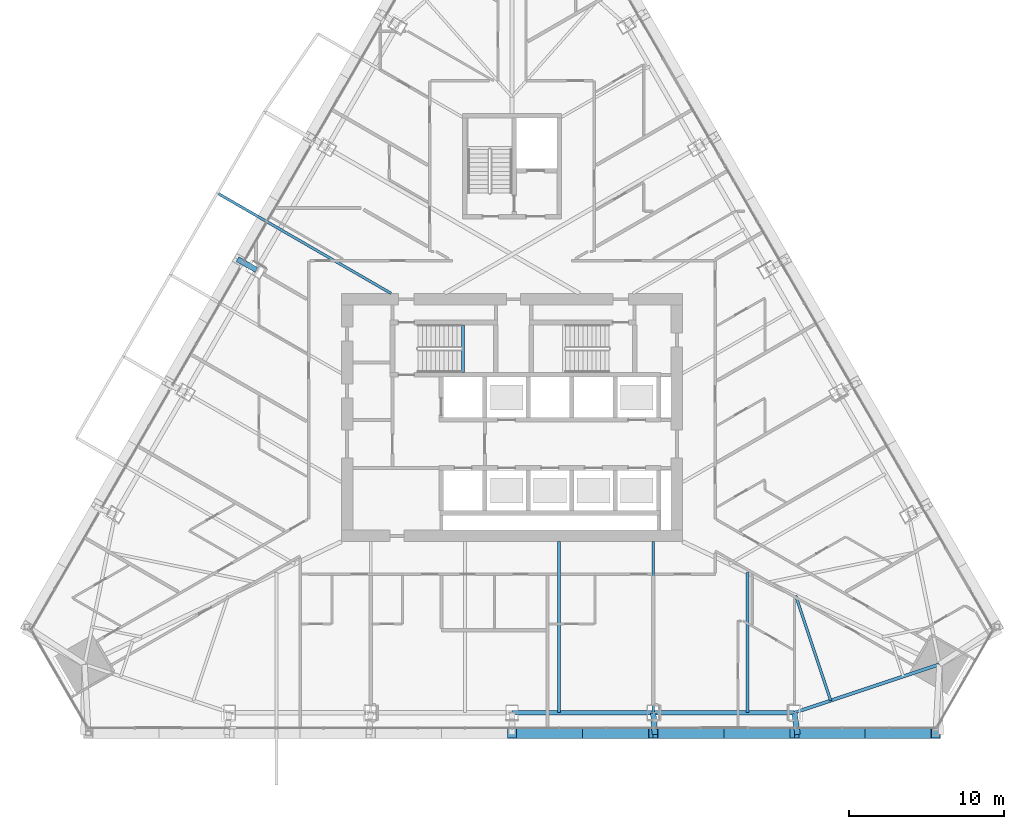
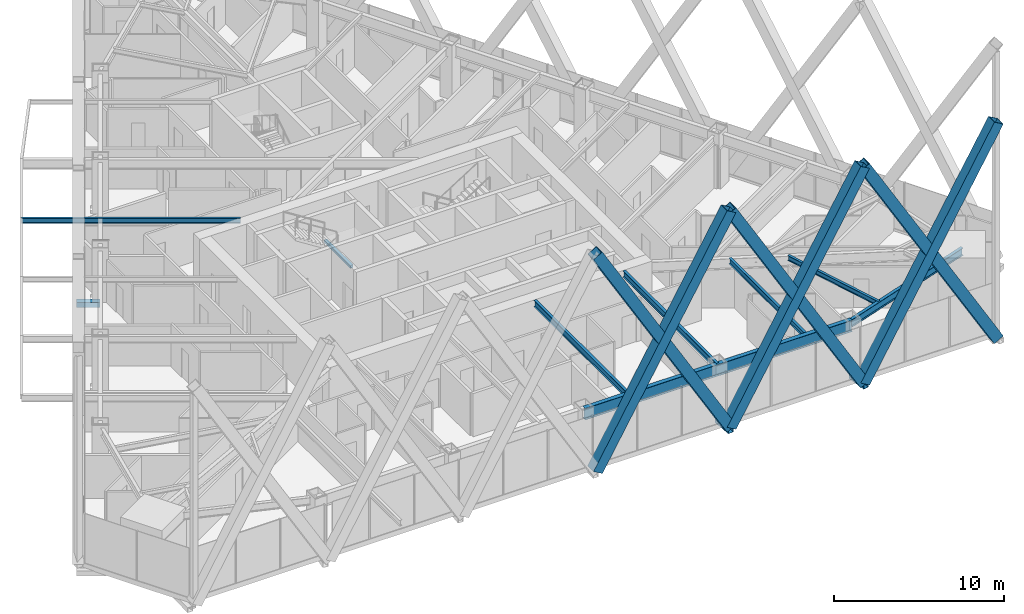
# One storey, part 7 of 26: 9 members, 8 beams.
"""IFC4 building model written with IfcOpenShell, lengths in metres."""

from ifc_helpers import new_model, si_unit, direction, frame, origin, origin_2d, place, context, subcontext, project, spatial, rectangle, hollow_rectangle, i_section, extrude, material, material_profile, profile_set, type_object, element, save


model = new_model("IFC4")

# Units and contexts
model_context = context("Model", 3, precision=1e-05, world=origin(), true_north=direction((0.0, 1.0)))
body_context = subcontext(model_context, "Body", "Model", "MODEL_VIEW")
ifc_project = project(units=[si_unit("LENGTHUNIT", "METRE"), si_unit("AREAUNIT", "SQUARE_METRE"), si_unit("VOLUMEUNIT", "CUBIC_METRE"), si_unit("PLANEANGLEUNIT", "RADIAN"), si_unit("MASSUNIT", "GRAM", prefix="KILO")], contexts=[model_context])

# Site, building, storey
site_placement = place(None, origin())
site = spatial("IfcSite", under=ifc_project, at=site_placement, CompositionType="ELEMENT")
building_placement = place(site_placement, origin())
building = spatial("IfcBuilding", under=site, at=building_placement, Name="Firuza Gate Tower and Library", CompositionType="ELEMENT")
storey_placement = place(building_placement, frame((0.0, 0.0, 155.800048828125)))
storey = spatial("IfcBuildingStorey", under=building, at=storey_placement, Name="L35", CompositionType="ELEMENT", Elevation=155.800048828125)

# Members
ifc_material_1 = material(Name="Steel S355", Category="steel")
ifc_material_profile_1 = material_profile(ifc_material_1, hollow_rectangle(XDim=0.699951171875, YDim=0.699951171875, WallThickness=0.030029296875, at=origin_2d()))
ifc_profile_set_1 = profile_set([ifc_material_profile_1], Name="Steel S355")
member_type_1 = type_object("IfcMemberType", Name="BU700x700x30 Lattice brace", PredefinedType="BRACE", material=ifc_profile_set_1)
for number, where, z_axis, x_axis, name in (
    (1, (75.0, 54.681396484375, 0.0), (0.503878590111, 0.0, 0.863774488178), (0.0, 1.0, 0.0), "Lattice brace S 8.4R"),
    (2, (84.10009765625, 54.681396484375, 0.0), (-0.503878590111, 0.0, 0.863774488178), (0.0, -1.0, 0.0), "Lattice brace S 8.4L"),
    (3, (84.10009765625, 54.681396484375, 0.0), (0.503868503969, 0.0, 0.863780371801), (0.0, 1.0, 0.0), "Lattice brace S 8.5R"),
    (4, (93.199951171875, 54.681396484375, 0.0), (-0.503868503969, 0.0, 0.863780371801), (0.0, -1.0, 0.0), "Lattice brace S 8.5L"),
    (5, (93.199951171875, 54.681396484375, 0.0), (0.503878590111, 0.0, 0.863774488178), (0.0, 1.0, 0.0), "Lattice brace S 8.6R"),
    (6, (102.300048828125, 54.681396484375, 0.0), (-0.503878590111, 0.0, 0.863774488178), (0.0, -1.0, 0.0), "Lattice brace S 8.6L"),
):
    element("IfcMember", number, at=place(storey_placement, frame(where, z_axis=z_axis, x_axis=x_axis)), inside=storey, type_object=member_type_1, Name=name, PredefinedType="BRACE", context=body_context, shape_type="SweptSolid", body=[
        extrude(hollow_rectangle(XDim=0.699951171875, YDim=0.699951171875, WallThickness=0.030029296875, at=origin_2d()), origin(), (0.0, 0.0, 1.0), 18.06005859375),
    ])
ifc_material_2 = material(Name="Steel S355", Category="steel")
ifc_material_profile_2 = material_profile(ifc_material_2, hollow_rectangle(XDim=0.355712890625, YDim=0.355712890625, WallThickness=0.014892578125, at=origin_2d()))
ifc_profile_set_2 = profile_set([ifc_material_profile_2], Name="Steel S355")
member_type_2 = type_object("IfcMemberType", Name="HSS356x356x16 Lattice node tie", PredefinedType="BRACE", material=ifc_profile_set_2)
member_1_placement = place(storey_placement, frame((84.10009765625, 55.9814453125, -0.340087890625), z_axis=(0.071654916629, -0.997429482682, 0.0), x_axis=(0.997429482682, 0.071654916629, 0.0)))
element("IfcMember", 7, at=member_1_placement, inside=storey, type_object=member_type_2, Name="Lattice node tie S L35 162", PredefinedType="BRACE", context=body_context, shape_type="SweptSolid", body=[
    extrude(hollow_rectangle(XDim=0.355712890625, YDim=0.355712890625, WallThickness=0.014892578125, at=origin_2d()), origin(), (0.0, 0.0, 1.0), 1.40380859375),
])
member_2_placement = place(storey_placement, frame((93.199951171875, 55.9814453125, -0.340087890625), z_axis=(0.142314863465, -0.989821438259, 0.0), x_axis=(0.989821438259, 0.142314863465, 0.0)))
element("IfcMember", 8, at=member_2_placement, inside=storey, type_object=member_type_2, Name="Lattice node tie S L35 163", PredefinedType="BRACE", context=body_context, shape_type="SweptSolid", body=[
    extrude(hollow_rectangle(XDim=0.355712890625, YDim=0.355712890625, WallThickness=0.014892578125, at=origin_2d()), origin(), (0.0, 0.0, 1.0), 1.415283203125),
])
member_3_placement = place(storey_placement, frame((58.529541015625, 84.50927734375, -0.340087890625), z_axis=(-0.866034573852, 0.49998411664, 0.0), x_axis=(-0.49998411664, -0.866034573852, 0.0)))
element("IfcMember", 9, at=member_3_placement, inside=storey, type_object=member_type_2, Name="Lattice node tie W L35 170", PredefinedType="BRACE", context=body_context, shape_type="SweptSolid", body=[
    extrude(hollow_rectangle(XDim=0.355712890625, YDim=0.355712890625, WallThickness=0.014892578125, at=origin_2d()), origin(), (0.0, 0.0, 1.0), 1.39990234375),
])

# Beams
ifc_material_3 = material(Name="Concrete C35/45", Category="concrete")
ifc_material_profile_3 = material_profile(ifc_material_3, rectangle(XDim=0.199951171875, YDim=0.199951171875, at=origin_2d()))
ifc_profile_set_3 = profile_set([ifc_material_profile_3], Name="Concrete C35/45")
beam_type_1 = type_object("IfcBeamType", Name="Stair landing bearer 200x200", PredefinedType="BEAM", material=ifc_profile_set_3)
beam_1_placement = place(storey_placement, frame((71.840087890625, 77.89990234375, 1.64990234375), z_axis=(0.0, 1.0, 0.0), x_axis=(-1.0, 0.0, 0.0)))
element("IfcBeam", 10, at=beam_1_placement, inside=storey, type_object=beam_type_1, Name="Landing bearer L35 stair 1", PredefinedType="BEAM", context=body_context, shape_type="SweptSolid", body=[
    extrude(rectangle(XDim=0.199951171875, YDim=0.199951171875, at=origin_2d()), origin(), (0.0, 0.0, 1.0), 3.080078125),
])
ifc_material_4 = material(Name="Steel S355", Category="steel")
ifc_material_profile_4 = material_profile(ifc_material_4, i_section(OverallWidth=0.1708984375, OverallDepth=0.35498046875, WebThickness=0.007080078125, FlangeThickness=0.01171875, at=origin_2d()))
ifc_profile_set_4 = profile_set([ifc_material_profile_4], Name="Steel S355")
beam_type_2 = type_object("IfcBeamType", Name="W360x51 Floor beam", PredefinedType="JOIST", material=ifc_profile_set_4)
beam_2_placement = place(storey_placement, frame((95.535400390625, 56.7607421875, 3.5224609375), z_axis=(-0.316607834402, 0.948556523985, 0.0), x_axis=(-0.948556523985, -0.316607834402, 0.0)))
element("IfcBeam", 11, at=beam_2_placement, inside=storey, type_object=beam_type_2, Name="Floor beam L35 s30", PredefinedType="JOIST", context=body_context, shape_type="SweptSolid", body=[
    extrude(i_section(OverallWidth=0.1708984375, OverallDepth=0.35498046875, WebThickness=0.007080078125, FlangeThickness=0.01171875, at=origin_2d()), origin(), (0.0, 0.0, 1.0), 7.129638671875),
])
beam_3_placement = place(storey_placement, frame((56.01904296875, 89.461181640625, 3.5224609375), z_axis=(0.866026704445, -0.499997747183, 0.0), x_axis=(0.499997747183, 0.866026704445, 0.0)))
element("IfcBeam", 12, at=beam_3_placement, inside=storey, type_object=beam_type_2, Name="Floor beam L35 s82", PredefinedType="JOIST", context=body_context, shape_type="SweptSolid", body=[
    extrude(i_section(OverallWidth=0.1708984375, OverallDepth=0.35498046875, WebThickness=0.007080078125, FlangeThickness=0.01171875, at=origin_2d()), origin(), (0.0, 0.0, 1.0), 12.92236328125),
])
ifc_material_5 = material(Name="Steel S355", Category="steel")
ifc_material_profile_5 = material_profile(ifc_material_5, i_section(OverallWidth=0.177978515625, OverallDepth=0.406982421875, WebThickness=0.0078125, FlangeThickness=0.0126953125, at=origin_2d()))
ifc_profile_set_5 = profile_set([ifc_material_profile_5], Name="Steel S355")
beam_type_3 = type_object("IfcBeamType", Name="W410x60 Floor beam", PredefinedType="JOIST", material=ifc_profile_set_5)
beam_4_placement = place(storey_placement, frame((90.166748046875, 55.9814453125, 3.496337890625), z_axis=(0.0, 1.0, 0.0), x_axis=(-1.0, 0.0, 0.0)))
element("IfcBeam", 13, at=beam_4_placement, inside=storey, type_object=beam_type_3, Name="Floor beam L35 s25", PredefinedType="JOIST", context=body_context, shape_type="SweptSolid", body=[
    extrude(i_section(OverallWidth=0.177978515625, OverallDepth=0.406982421875, WebThickness=0.0078125, FlangeThickness=0.0126953125, at=origin_2d()), origin(), (0.0, 0.0, 1.0), 9.0283203125),
])
ifc_material_6 = material(Name="Steel S355", Category="steel")
ifc_material_profile_6 = material_profile(ifc_material_6, i_section(OverallWidth=0.18994140625, OverallDepth=0.45703125, WebThickness=0.009033203125, FlangeThickness=0.014404296875, at=origin_2d()))
ifc_profile_set_6 = profile_set([ifc_material_profile_6], Name="Steel S355")
beam_type_4 = type_object("IfcBeamType", Name="W460x74 Floor beam", PredefinedType="JOIST", material=ifc_profile_set_6)
for number, where, z_axis, x_axis, name in (
    (14, (78.033447265625, 55.9814453125, 3.471435546875), (0.0, 1.0, 0.0), (-1.0, 0.0, 0.0), "Floor beam L35 s23"),
    (15, (84.10009765625, 55.9814453125, 3.471435546875), (0.0, 1.0, 0.0), (-1.0, 0.0, 0.0), "Floor beam L35 s24"),
):
    element("IfcBeam", number, at=place(storey_placement, frame(where, z_axis=z_axis, x_axis=x_axis)), inside=storey, type_object=beam_type_4, Name=name, PredefinedType="JOIST", context=body_context, shape_type="SweptSolid", body=[
        extrude(i_section(OverallWidth=0.18994140625, OverallDepth=0.45703125, WebThickness=0.009033203125, FlangeThickness=0.014404296875, at=origin_2d()), origin(), (0.0, 0.0, 1.0), 11.0185546875),
    ])
ifc_material_7 = material(Name="Steel S355", Category="steel")
ifc_material_profile_7 = material_profile(ifc_material_7, i_section(OverallWidth=0.212890625, OverallDepth=0.5390625, WebThickness=0.01171875, FlangeThickness=0.018798828125, at=origin_2d()))
ifc_profile_set_7 = profile_set([ifc_material_profile_7], Name="Steel S355")
beam_type_5 = type_object("IfcBeamType", Name="W530x109 Edge beam", PredefinedType="SPANDREL", material=ifc_profile_set_7)
beam_5_placement = place(storey_placement, frame((93.199951171875, 55.9814453125, 3.430419921875), z_axis=(0.948564232702, 0.316584738163, 0.0), x_axis=(-0.316584738163, 0.948564232702, 0.0)))
element("IfcBeam", 16, at=beam_5_placement, inside=storey, type_object=beam_type_5, Name="Edge beam L35 e30", PredefinedType="SPANDREL", context=body_context, shape_type="SweptSolid", body=[
    extrude(i_section(OverallWidth=0.212890625, OverallDepth=0.5390625, WebThickness=0.01171875, FlangeThickness=0.018798828125, at=origin_2d()), origin(), (0.0, 0.0, 1.0), 9.847900390625),
])
ifc_material_8 = material(Name="Steel S355", Category="steel")
ifc_material_profile_8 = material_profile(ifc_material_8, i_section(OverallWidth=0.2919921875, OverallDepth=0.8349609375, WebThickness=0.013916015625, FlangeThickness=0.018798828125, at=origin_2d()))
ifc_profile_set_8 = profile_set([ifc_material_profile_8], Name="Steel S355")
beam_type_6 = type_object("IfcBeamType", Name="W840x176 Edge beam", PredefinedType="SPANDREL", material=ifc_profile_set_8)
beam_6_placement = place(storey_placement, frame((75.0, 55.9814453125, 3.282470703125), z_axis=(1.0, 0.0, 0.0), x_axis=(0.0, 1.0, 0.0)))
element("IfcBeam", 17, at=beam_6_placement, inside=storey, type_object=beam_type_6, Name="Edge beam L35 e22", PredefinedType="SPANDREL", context=body_context, shape_type="SweptSolid", body=[
    extrude(i_section(OverallWidth=0.2919921875, OverallDepth=0.8349609375, WebThickness=0.013916015625, FlangeThickness=0.018798828125, at=origin_2d()), origin(), (0.0, 0.0, 1.0), 18.199951171875),
])

save(model, "model.ifc")
